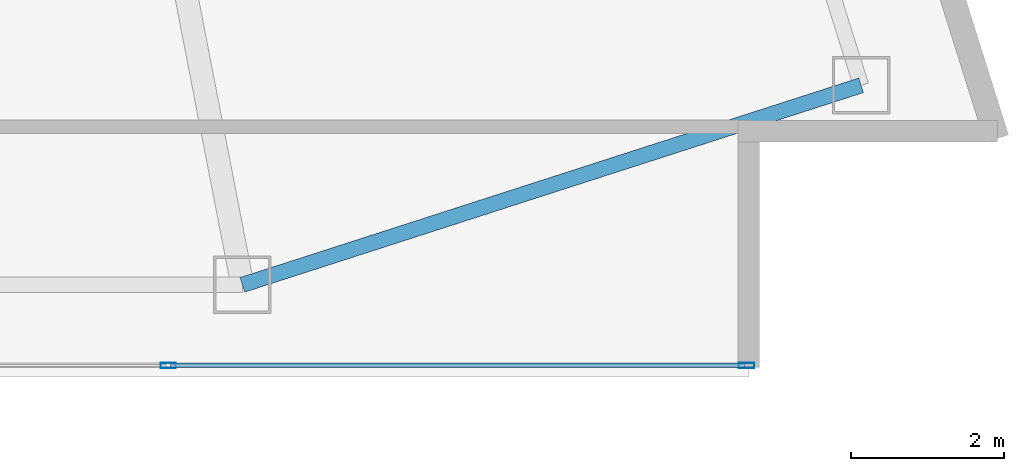
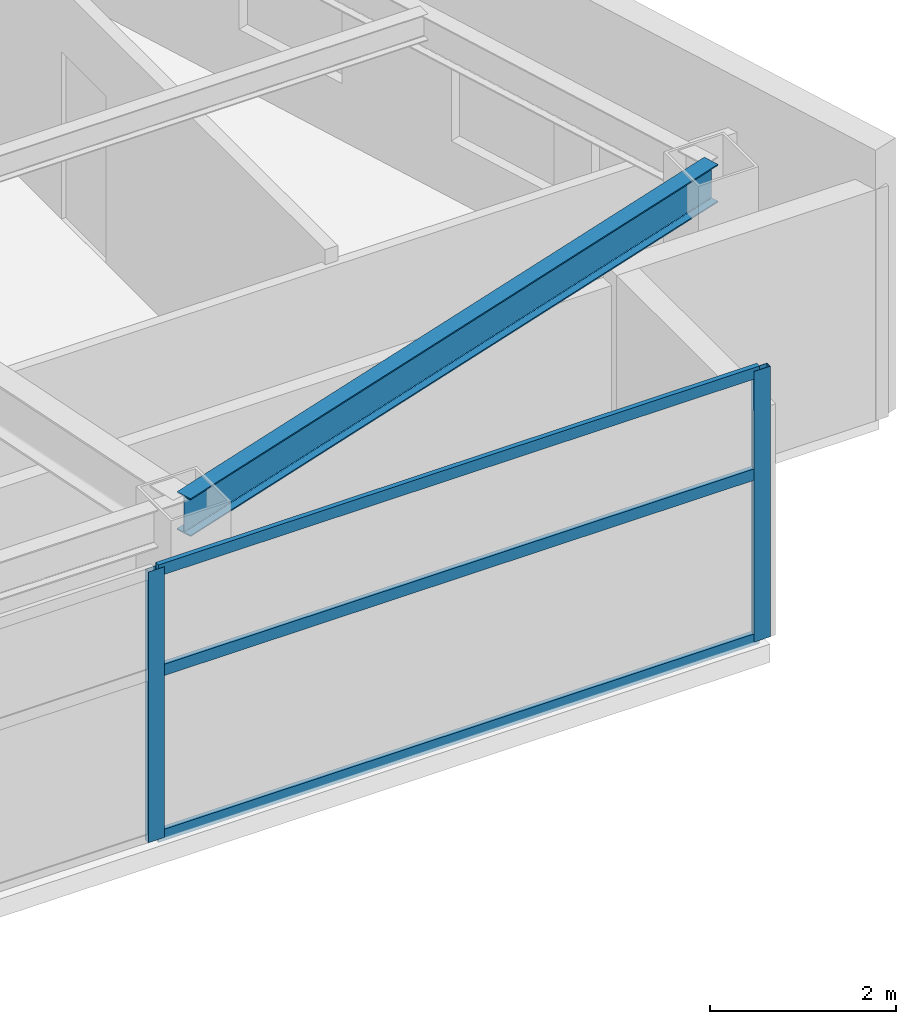
# One storey, part 14 of 28: 5 members, 1 beam, 1 element without a shape of its own.
"""IFC4 building model written with IfcOpenShell, lengths in metres."""

from ifc_helpers import new_model, si_unit, direction, frame, origin, origin_2d, place, context, subcontext, project, spatial, hollow_rectangle, i_section, extrude, material, layer, layer_set, material_profile, profile_set, type_object, element, aggregate, save


model = new_model("IFC4")

# Units and contexts
model_context = context("Model", 3, precision=1e-05, world=origin(), true_north=direction((0.0, 1.0)))
body_context = subcontext(model_context, "Body", "Model", "MODEL_VIEW")
ifc_project = project(units=[si_unit("LENGTHUNIT", "METRE"), si_unit("AREAUNIT", "SQUARE_METRE"), si_unit("VOLUMEUNIT", "CUBIC_METRE"), si_unit("PLANEANGLEUNIT", "RADIAN"), si_unit("MASSUNIT", "GRAM", prefix="KILO")], contexts=[model_context])

# Site, building, storey
site_placement = place(None, origin())
site = spatial("IfcSite", under=ifc_project, at=site_placement, CompositionType="ELEMENT")
building_placement = place(site_placement, origin())
building = spatial("IfcBuilding", under=site, at=building_placement, Name="Calvorn Quay Hotel", CompositionType="ELEMENT")
storey_placement = place(building_placement, frame((0.0, 0.0, 112.60009765625)))
storey = spatial("IfcBuildingStorey", under=building, at=storey_placement, Name="L27", CompositionType="ELEMENT", Elevation=112.60009765625)

# Beam
ifc_material_1 = material(Name="Steel Q355B", Category="steel")
ifc_material_profile_1 = material_profile(ifc_material_1, i_section(OverallWidth=0.199951171875, OverallDepth=0.5, WebThickness=0.010009765625, FlangeThickness=0.01611328125, FilletRadius=0.01611328125, at=origin_2d()), Name="HN500x200x10x16")
ifc_profile_set_1 = profile_set([ifc_material_profile_1], Name="Steel Q355B")
beam_type = type_object("IfcBeamType", Name="BM-SPANDREL-Z1", PredefinedType="SPANDREL", material=ifc_profile_set_1)
beam_placement = place(storey_placement, frame((49.39990234375, 3.60009765625, 3.289794921875), z_axis=(0.951725188386, 0.306951406237, 0.0), x_axis=(-0.306951406237, 0.951725188386, 0.0)))
element("IfcBeam", 1, at=beam_placement, inside=storey, type_object=beam_type, Name="Beam BSP-L27-S6", PredefinedType="SPANDREL", context=body_context, shape_type="SweptSolid", body=[
    extrude(i_section(OverallWidth=0.199951171875, OverallDepth=0.5, WebThickness=0.010009765625, FlangeThickness=0.01611328125, FilletRadius=0.01611328125, at=origin_2d()), origin(), (0.0, 0.0, 1.0), 8.469970703125),
])

# Curtain wall, members
ifc_material_2 = material(Name="Pale Anodised Aluminium and Low-E Glass", Category="aluminium")
ifc_layer = layer(ifc_material_2, 0.219970703125)
ifc_layer_set = layer_set([ifc_layer], Name="CW-SYS-Z2")
curtain_wall_type = type_object("IfcCurtainWallType", Name="CW-SYS-Z2", PredefinedType="NOTDEFINED", material=ifc_layer_set)
curtain_wall_placement = place(storey_placement, origin())
curtain_wall = element("IfcCurtainWall", 2, at=curtain_wall_placement, inside=storey, type_object=curtain_wall_type, Name="Tower South Waterfront Curtain Wall (L27)", PredefinedType="NOTDEFINED")
ifc_material_3 = material(Name="Pale Anodised Aluminium 6063-T6", Category="aluminium")
ifc_material_profile_2 = material_profile(ifc_material_3, hollow_rectangle(XDim=0.070068359375, YDim=0.199951171875, WallThickness=0.00390625, at=origin_2d()), Name="ALU-M200x70x4")
ifc_profile_set_2 = profile_set([ifc_material_profile_2], Name="Pale Anodised Aluminium 6063-T6")
member_type_1 = type_object("IfcMemberType", Name="CW-SYS-Z2-MUL", PredefinedType="MULLION", material=ifc_profile_set_2)
member_1_placement = place(storey_placement, frame((48.433349609375, 2.550048828125, 0.0), z_axis=(0.0, 0.0, 1.0), x_axis=(0.0, 1.0, 0.0)))
member_1 = element("IfcMember", 3, at=member_1_placement, type_object=member_type_1, Name="CW-L27-S mullion 6", PredefinedType="MULLION", context=body_context, shape_type="SweptSolid", body=[
    extrude(hollow_rectangle(XDim=0.070068359375, YDim=0.199951171875, WallThickness=0.00390625, at=origin_2d()), origin(), (0.0, 0.0, 1.0), 3.559814453125),
])
member_2_placement = place(storey_placement, frame((55.969970703125, 2.550048828125, 0.0), z_axis=(0.0, 0.0, 1.0), x_axis=(0.0, 1.0, 0.0)))
member_2 = element("IfcMember", 4, at=member_2_placement, type_object=member_type_1, Name="CW-L27-S mullion 7", PredefinedType="MULLION", context=body_context, shape_type="SweptSolid", body=[
    extrude(hollow_rectangle(XDim=0.070068359375, YDim=0.199951171875, WallThickness=0.00390625, at=origin_2d()), origin(), (0.0, 0.0, 1.0), 3.559814453125),
])
ifc_material_4 = material(Name="Pale Anodised Aluminium 6063-T6", Category="aluminium")
ifc_material_profile_3 = material_profile(ifc_material_4, hollow_rectangle(XDim=0.06005859375, YDim=0.14990234375, WallThickness=0.00341796875, at=origin_2d()), Name="ALU-T150x60x3.5")
ifc_profile_set_3 = profile_set([ifc_material_profile_3], Name="Pale Anodised Aluminium 6063-T6")
member_type_2 = type_object("IfcMemberType", Name="CW-SYS-Z2-TRN", PredefinedType="USERDEFINED", material=ifc_profile_set_3)
member_3_placement = place(storey_placement, frame((48.46337890625, 2.550048828125, 0.02978515625), z_axis=(1.0, 0.0, 0.0), x_axis=(0.0, 1.0, 0.0)))
member_3 = element("IfcMember", 5, at=member_3_placement, type_object=member_type_2, Name="CW-L27-S transom 6.1", ObjectType="TRANSOM", PredefinedType="USERDEFINED", context=body_context, shape_type="SweptSolid", body=[
    extrude(hollow_rectangle(XDim=0.06005859375, YDim=0.14990234375, WallThickness=0.00341796875, at=origin_2d()), origin(), (0.0, 0.0, 1.0), 7.4765625),
])
member_4_placement = place(storey_placement, frame((48.46337890625, 2.550048828125, 2.199951171875), z_axis=(1.0, 0.0, 0.0), x_axis=(0.0, 1.0, 0.0)))
member_4 = element("IfcMember", 6, at=member_4_placement, type_object=member_type_2, Name="CW-L27-S transom 6.2", ObjectType="TRANSOM", PredefinedType="USERDEFINED", context=body_context, shape_type="SweptSolid", body=[
    extrude(hollow_rectangle(XDim=0.06005859375, YDim=0.14990234375, WallThickness=0.00341796875, at=origin_2d()), origin(), (0.0, 0.0, 1.0), 7.4765625),
])
member_5_placement = place(storey_placement, frame((48.46337890625, 2.550048828125, 3.52978515625), z_axis=(1.0, 0.0, 0.0), x_axis=(0.0, 1.0, 0.0)))
member_5 = element("IfcMember", 7, at=member_5_placement, type_object=member_type_2, Name="CW-L27-S transom 6.3", ObjectType="TRANSOM", PredefinedType="USERDEFINED", context=body_context, shape_type="SweptSolid", body=[
    extrude(hollow_rectangle(XDim=0.06005859375, YDim=0.14990234375, WallThickness=0.00341796875, at=origin_2d()), origin(), (0.0, 0.0, 1.0), 7.4765625),
])
aggregate(curtain_wall, [member_1, member_2, member_3, member_4, member_5])

save(model, "model.ifc")
